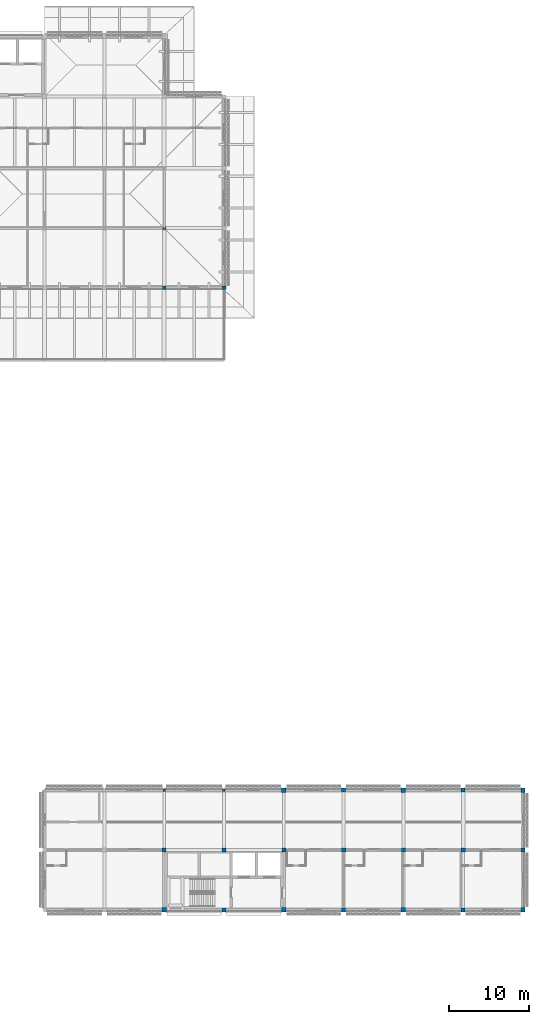
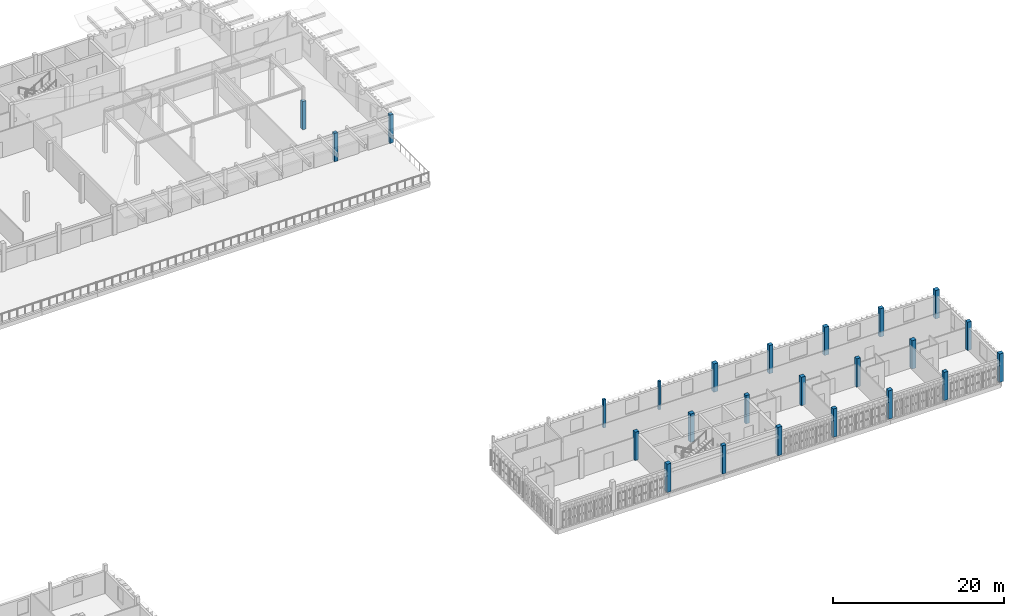
# One storey, part 10 of 48: 24 columns.
"""IFC4 building model written with IfcOpenShell, lengths in metres."""

from ifc_helpers import new_model, si_unit, direction, frame, origin, origin_2d, place, context, subcontext, project, spatial, rectangle, extrude, material, material_profile, profile_set, type_object, element, save


model = new_model("IFC4")

# Units and contexts
model_context = context("Model", 3, precision=1e-05, world=origin(), true_north=direction((0.0, 1.0)))
body_context = subcontext(model_context, "Body", "Model", "MODEL_VIEW")
ifc_project = project(units=[si_unit("LENGTHUNIT", "METRE"), si_unit("AREAUNIT", "SQUARE_METRE"), si_unit("VOLUMEUNIT", "CUBIC_METRE"), si_unit("PLANEANGLEUNIT", "RADIAN"), si_unit("MASSUNIT", "GRAM", prefix="KILO")], contexts=[model_context])

# Site, building, storey
site_placement = place(None, origin())
site = spatial("IfcSite", under=ifc_project, at=site_placement, CompositionType="ELEMENT")
building_placement = place(site_placement, origin())
building = spatial("IfcBuilding", under=site, at=building_placement, Name="Dalvernix Boulevard General Hospital", CompositionType="ELEMENT")
storey_placement = place(building_placement, frame((0.0, 0.0, 17.85009765625)))
storey = spatial("IfcBuildingStorey", under=building, at=storey_placement, Name="L04", CompositionType="ELEMENT", Elevation=17.85009765625)

# Columns
ifc_material_1 = material(Name="Concrete C40/50", Category="concrete")
ifc_material_profile_1 = material_profile(ifc_material_1, rectangle(XDim=0.550048828125, YDim=0.550048828125, at=origin_2d()), Name="RC 550x550")
ifc_profile_set_1 = profile_set([ifc_material_profile_1], Name="Concrete C40/50")
column_type_1 = type_object("IfcColumnType", Name="COL-C-08-E", PredefinedType="COLUMN", material=ifc_profile_set_1)
for number, where, z_axis, x_axis, name in (
    (1, (127.5, 7.5, 0.0), (0.0, 0.0, 1.0), (1.0, 0.0, 0.0), "L04 column 18B"),
    (2, (142.5, 7.5, 0.0), (0.0, 0.0, 1.0), (1.0, 0.0, 0.0), "L04 column 20B"),
    (3, (142.5, 22.5, 0.0), (0.0, 0.0, 1.0), (1.0, 0.0, 0.0), "L04 column 20D"),
    (4, (157.5, 7.5, 0.0), (0.0, 0.0, 1.0), (1.0, 0.0, 0.0), "L04 column 22B"),
    (5, (157.5, 22.5, 0.0), (0.0, 0.0, 1.0), (1.0, 0.0, 0.0), "L04 column 22D"),
    (6, (172.5, 7.5, 0.0), (0.0, 0.0, 1.0), (1.0, 0.0, 0.0), "L04 column 24B"),
    (7, (172.5, 22.5, 0.0), (0.0, 0.0, 1.0), (1.0, 0.0, 0.0), "L04 column 24D"),
):
    element("IfcColumn", number, at=place(storey_placement, frame(where, z_axis=z_axis, x_axis=x_axis)), inside=storey, type_object=column_type_1, Name=name, PredefinedType="COLUMN", context=body_context, shape_type="SweptSolid", body=[
        extrude(rectangle(XDim=0.550048828125, YDim=0.550048828125, at=origin_2d()), origin(), (0.0, 0.0, 1.0), 4.0498046875),
    ])
ifc_material_profile_2 = material_profile(ifc_material_1, rectangle(XDim=0.550048828125, YDim=0.550048828125, at=origin_2d()), Name="RC 550x550")
ifc_profile_set_2 = profile_set([ifc_material_profile_2], Name="Concrete C40/50")
column_type_2 = type_object("IfcColumnType", Name="COL-C-08-I", PredefinedType="COLUMN", material=ifc_profile_set_2)
for number, where, z_axis, x_axis, name in (
    (8, (135.0, 15.0, 0.0), (0.0, 0.0, 1.0), (1.0, 0.0, 0.0), "L04 column 19C"),
    (9, (150.0, 15.0, 0.0), (0.0, 0.0, 1.0), (1.0, 0.0, 0.0), "L04 column 21C"),
    (10, (165.0, 15.0, 0.0), (0.0, 0.0, 1.0), (1.0, 0.0, 0.0), "L04 column 23C"),
):
    element("IfcColumn", number, at=place(storey_placement, frame(where, z_axis=z_axis, x_axis=x_axis)), inside=storey, type_object=column_type_2, Name=name, PredefinedType="COLUMN", context=body_context, shape_type="SweptSolid", body=[
        extrude(rectangle(XDim=0.550048828125, YDim=0.550048828125, at=origin_2d()), origin(), (0.0, 0.0, 1.0), 4.0498046875),
    ])
ifc_material_profile_3 = material_profile(ifc_material_1, rectangle(XDim=0.5, YDim=0.5, at=origin_2d()), Name="RC 500x500")
ifc_profile_set_3 = profile_set([ifc_material_profile_3], Name="Concrete C40/50")
column_type_3 = type_object("IfcColumnType", Name="COL-C-09-E", PredefinedType="COLUMN", material=ifc_profile_set_3)
for number, where, z_axis, x_axis, name in (
    (11, (135.0, 7.5, 0.0), (0.0, 0.0, 1.0), (1.0, 0.0, 0.0), "L04 column 19B"),
    (12, (150.0, 7.5, 0.0), (0.0, 0.0, 1.0), (1.0, 0.0, 0.0), "L04 column 21B"),
    (13, (150.0, 22.5, 0.0), (0.0, 0.0, 1.0), (1.0, 0.0, 0.0), "L04 column 21D"),
    (14, (165.0, 7.5, 0.0), (0.0, 0.0, 1.0), (1.0, 0.0, 0.0), "L04 column 23B"),
    (15, (165.0, 22.5, 0.0), (0.0, 0.0, 1.0), (1.0, 0.0, 0.0), "L04 column 23D"),
    (16, (172.5, 15.0, 0.0), (0.0, 0.0, 1.0), (1.0, 0.0, 0.0), "L04 column 24C"),
):
    element("IfcColumn", number, at=place(storey_placement, frame(where, z_axis=z_axis, x_axis=x_axis)), inside=storey, type_object=column_type_3, Name=name, PredefinedType="COLUMN", context=body_context, shape_type="SweptSolid", body=[
        extrude(rectangle(XDim=0.5, YDim=0.5, at=origin_2d()), origin(), (0.0, 0.0, 1.0), 4.0498046875),
    ])
ifc_material_profile_4 = material_profile(ifc_material_1, rectangle(XDim=0.5, YDim=0.5, at=origin_2d()), Name="RC 500x500")
ifc_profile_set_4 = profile_set([ifc_material_profile_4], Name="Concrete C40/50")
column_type_4 = type_object("IfcColumnType", Name="COL-C-09-I", PredefinedType="COLUMN", material=ifc_profile_set_4)
for number, where, z_axis, x_axis, name in (
    (17, (127.5, 15.0, 0.0), (0.0, 0.0, 1.0), (1.0, 0.0, 0.0), "L04 column 18C"),
    (18, (142.5, 15.0, 0.0), (0.0, 0.0, 1.0), (1.0, 0.0, 0.0), "L04 column 20C"),
    (19, (157.5, 15.0, 0.0), (0.0, 0.0, 1.0), (1.0, 0.0, 0.0), "L04 column 22C"),
):
    element("IfcColumn", number, at=place(storey_placement, frame(where, z_axis=z_axis, x_axis=x_axis)), inside=storey, type_object=column_type_4, Name=name, PredefinedType="COLUMN", context=body_context, shape_type="SweptSolid", body=[
        extrude(rectangle(XDim=0.5, YDim=0.5, at=origin_2d()), origin(), (0.0, 0.0, 1.0), 4.0498046875),
    ])
ifc_material_profile_5 = material_profile(ifc_material_1, rectangle(XDim=0.449951171875, YDim=0.449951171875, at=origin_2d()), Name="RC 450x450")
ifc_profile_set_5 = profile_set([ifc_material_profile_5], Name="Concrete C40/50")
column_type_5 = type_object("IfcColumnType", Name="COL-C-10-E", PredefinedType="COLUMN", material=ifc_profile_set_5)
for number, where, z_axis, x_axis, name in (
    (20, (127.5, 85.5, 0.0), (0.0, 0.0, 1.0), (1.0, 0.0, 0.0), "L04 column 18M"),
    (21, (135.0, 85.5, 0.0), (0.0, 0.0, 1.0), (1.0, 0.0, 0.0), "L04 column 19M"),
):
    element("IfcColumn", number, at=place(storey_placement, frame(where, z_axis=z_axis, x_axis=x_axis)), inside=storey, type_object=column_type_5, Name=name, PredefinedType="COLUMN", context=body_context, shape_type="SweptSolid", body=[
        extrude(rectangle(XDim=0.449951171875, YDim=0.449951171875, at=origin_2d()), origin(), (0.0, 0.0, 1.0), 4.0498046875),
    ])
ifc_material_profile_6 = material_profile(ifc_material_1, rectangle(XDim=0.449951171875, YDim=0.449951171875, at=origin_2d()), Name="RC 450x450")
ifc_profile_set_6 = profile_set([ifc_material_profile_6], Name="Concrete C40/50")
column_type_6 = type_object("IfcColumnType", Name="COL-C-10-I", PredefinedType="COLUMN", material=ifc_profile_set_6)
column_placement = place(storey_placement, frame((127.5, 93.0, 0.0), z_axis=(0.0, 0.0, 1.0), x_axis=(1.0, 0.0, 0.0)))
element("IfcColumn", 22, at=column_placement, inside=storey, type_object=column_type_6, Name="L04 column 18N", PredefinedType="COLUMN", context=body_context, shape_type="SweptSolid", body=[
    extrude(rectangle(XDim=0.449951171875, YDim=0.449951171875, at=origin_2d()), origin(), (0.0, 0.0, 1.0), 4.0498046875),
])
ifc_material_2 = material(Name="Glulam GL28h", Category="wood")
ifc_material_profile_7 = material_profile(ifc_material_2, rectangle(XDim=0.320068359375, YDim=0.320068359375, at=origin_2d()), Name="GL28h 320x320")
ifc_profile_set_7 = profile_set([ifc_material_profile_7], Name="Glulam GL28h")
column_type_7 = type_object("IfcColumnType", Name="COL-C-20-E", PredefinedType="COLUMN", material=ifc_profile_set_7)
for number, where, z_axis, x_axis, name in (
    (23, (127.5, 22.5, 0.0), (0.0, 0.0, 1.0), (1.0, 0.0, 0.0), "L04 column 18D"),
    (24, (135.0, 22.5, 0.0), (0.0, 0.0, 1.0), (1.0, 0.0, 0.0), "L04 column 19D"),
):
    element("IfcColumn", number, at=place(storey_placement, frame(where, z_axis=z_axis, x_axis=x_axis)), inside=storey, type_object=column_type_7, Name=name, PredefinedType="COLUMN", context=body_context, shape_type="SweptSolid", body=[
        extrude(rectangle(XDim=0.320068359375, YDim=0.320068359375, at=origin_2d()), origin(), (0.0, 0.0, 1.0), 4.0498046875),
    ])

save(model, "model.ifc")
